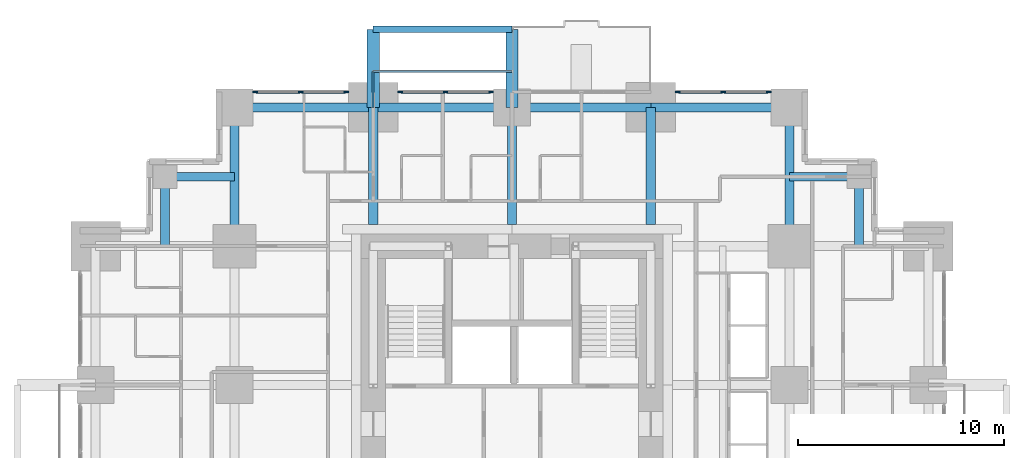
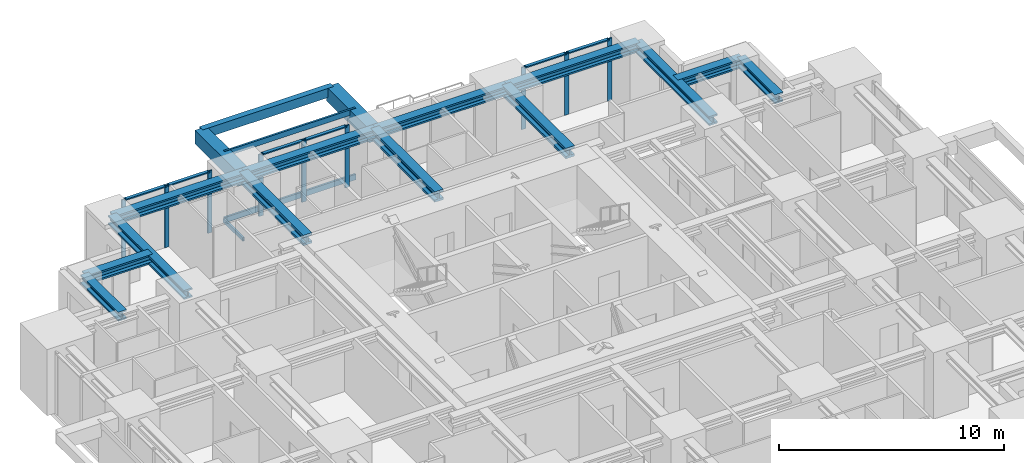
# One storey, part 5 of 13: 18 members, 16 beams, 3 elements without a shape of their own.
"""IFC4 building model written with IfcOpenShell, lengths in metres."""

from ifc_helpers import new_model, si_unit, direction, frame, origin, origin_2d, place, context, subcontext, project, spatial, rectangle, hollow_rectangle, i_section, extrude, material, material_profile, profile_set, type_object, element, aggregate, save


model = new_model("IFC4")

# Units and contexts
model_context = context("Model", 3, precision=1e-05, world=origin(), true_north=direction((0.0, 1.0)))
body_context = subcontext(model_context, "Body", "Model", "MODEL_VIEW")
ifc_project = project(units=[si_unit("LENGTHUNIT", "METRE"), si_unit("AREAUNIT", "SQUARE_METRE"), si_unit("VOLUMEUNIT", "CUBIC_METRE"), si_unit("PLANEANGLEUNIT", "RADIAN"), si_unit("MASSUNIT", "GRAM", prefix="KILO")], contexts=[model_context])

# Site, building, storey
site_placement = place(None, origin())
site = spatial("IfcSite", under=ifc_project, at=site_placement, CompositionType="ELEMENT")
building_placement = place(site_placement, origin())
building = spatial("IfcBuilding", under=site, at=building_placement, Name="Nyansa Garden Tower", CompositionType="ELEMENT")
storey_placement = place(building_placement, frame((0.0, 0.0, 83.699951171875)))
storey = spatial("IfcBuildingStorey", under=building, at=storey_placement, Name="L22", CompositionType="ELEMENT", Elevation=83.699951171875)

# Beams
ifc_material_1 = material(Name="Concrete C70/85", Category="concrete")
ifc_material_profile_1 = material_profile(ifc_material_1, rectangle(XDim=0.60009765625, YDim=0.75, at=origin_2d()), Name="RC 600x750")
ifc_profile_set_1 = profile_set([ifc_material_profile_1], Name="Concrete C70/85")
beam_type_1 = type_object("IfcBeamType", Name="Balcony cantilever beam CB1 RC 600x750", PredefinedType="BEAM", material=ifc_profile_set_1)
for number, where, z_axis, x_axis, name in (
    (1, (13.5, 33.75, 2.985107421875), (0.0, 1.0, 0.0), (-1.0, 0.0, 0.0), "Balcony cantilever beam L23"),
    (2, (20.25, 33.75, 2.985107421875), (0.0, 1.0, 0.0), (-1.0, 0.0, 0.0), "Balcony cantilever beam L23"),
):
    element("IfcBeam", number, at=place(storey_placement, frame(where, z_axis=z_axis, x_axis=x_axis)), inside=storey, type_object=beam_type_1, Name=name, PredefinedType="BEAM", context=body_context, shape_type="SweptSolid", body=[
        extrude(rectangle(XDim=0.60009765625, YDim=0.75, at=origin_2d()), origin(), (0.0, 0.0, 1.0), 3.800048828125),
    ])
ifc_material_2 = material(Name="Concrete C70/85", Category="concrete")
ifc_material_profile_2 = material_profile(ifc_material_2, rectangle(XDim=0.300048828125, YDim=0.5, at=origin_2d()), Name="RC 300x500")
ifc_profile_set_2 = profile_set([ifc_material_profile_2], Name="Concrete C70/85")
beam_type_2 = type_object("IfcBeamType", Name="Balcony edge beam BE1 RC 300x500", PredefinedType="BEAM", material=ifc_profile_set_2)
beam_placement = place(storey_placement, frame((13.5, 37.550048828125, 3.110107421875), z_axis=(1.0, 0.0, 0.0), x_axis=(0.0, 1.0, 0.0)))
element("IfcBeam", 3, at=beam_placement, inside=storey, type_object=beam_type_2, Name="Balcony edge beam L23", PredefinedType="BEAM", context=body_context, shape_type="SweptSolid", body=[
    extrude(rectangle(XDim=0.300048828125, YDim=0.5, at=origin_2d()), origin(), (0.0, 0.0, 1.0), 6.75),
])

# Curtain wall, members
ifc_material_3 = material(Name="Black anodised aluminium, dark tinted double glazing", Category="aluminium")
curtain_wall_type = type_object("IfcCurtainWallType", Name="Inner skin curtain wall ISW-B", PredefinedType="USERDEFINED", material=ifc_material_3)
curtain_wall_1_placement = place(storey_placement, origin())
curtain_wall_1 = element("IfcCurtainWall", 4, at=curtain_wall_1_placement, inside=storey, type_object=curtain_wall_type, Name="Inner skin curtain wall L22 N", ObjectType="UNITISED CURTAIN WALL", PredefinedType="USERDEFINED")
ifc_material_4 = material(Name="Black anodised aluminium", Category="aluminium")
ifc_material_profile_3 = material_profile(ifc_material_4, rectangle(XDim=0.06494140625, YDim=0.22509765625, at=origin_2d()), Name="Mullion 225x65")
ifc_profile_set_3 = profile_set([ifc_material_profile_3], Name="Black anodised aluminium")
member_type_1 = type_object("IfcMemberType", Name="Mullion ISW-B 225x65", PredefinedType="MULLION", material=ifc_profile_set_3)
member_1_placement = place(storey_placement, frame((19.237548828125, 34.5, 0.0), z_axis=(0.0, 0.0, 1.0), x_axis=(0.0, -1.0, 0.0)))
member_1 = element("IfcMember", 5, at=member_1_placement, type_object=member_type_1, Name="ISW-B mullion 1", PredefinedType="MULLION", context=body_context, shape_type="SweptSolid", body=[
    extrude(rectangle(XDim=0.06494140625, YDim=0.22509765625, at=origin_2d()), origin(), (0.0, 0.0, 1.0), 3.375),
])
member_2_placement = place(storey_placement, frame((17.02490234375, 34.5, 0.0), z_axis=(0.0, 0.0, 1.0), x_axis=(0.0, -1.0, 0.0)))
member_2 = element("IfcMember", 6, at=member_2_placement, type_object=member_type_1, Name="ISW-B mullion 2", PredefinedType="MULLION", context=body_context, shape_type="SweptSolid", body=[
    extrude(rectangle(XDim=0.06494140625, YDim=0.22509765625, at=origin_2d()), origin(), (0.0, 0.0, 1.0), 3.375),
])
member_3_placement = place(storey_placement, frame((14.8125, 34.5, 0.0), z_axis=(0.0, 0.0, 1.0), x_axis=(0.0, -1.0, 0.0)))
member_3 = element("IfcMember", 7, at=member_3_placement, type_object=member_type_1, Name="ISW-B mullion 3", PredefinedType="MULLION", context=body_context, shape_type="SweptSolid", body=[
    extrude(rectangle(XDim=0.06494140625, YDim=0.22509765625, at=origin_2d()), origin(), (0.0, 0.0, 1.0), 3.375),
])

curtain_wall_2_placement = place(storey_placement, origin())
curtain_wall_2 = element("IfcCurtainWall", 8, at=curtain_wall_2_placement, inside=storey, type_object=curtain_wall_type, Name="Inner skin curtain wall L22 N", ObjectType="UNITISED CURTAIN WALL", PredefinedType="USERDEFINED")
member_4_placement = place(storey_placement, frame((12.1875, 34.5, 0.0), z_axis=(0.0, 0.0, 1.0), x_axis=(0.0, -1.0, 0.0)))
member_4 = element("IfcMember", 9, at=member_4_placement, type_object=member_type_1, Name="ISW-B mullion 1", PredefinedType="MULLION", context=body_context, shape_type="SweptSolid", body=[
    extrude(rectangle(XDim=0.06494140625, YDim=0.22509765625, at=origin_2d()), origin(), (0.0, 0.0, 1.0), 3.375),
])
member_5_placement = place(storey_placement, frame((9.97509765625, 34.5, 0.0), z_axis=(0.0, 0.0, 1.0), x_axis=(0.0, -1.0, 0.0)))
member_5 = element("IfcMember", 10, at=member_5_placement, type_object=member_type_1, Name="ISW-B mullion 2", PredefinedType="MULLION", context=body_context, shape_type="SweptSolid", body=[
    extrude(rectangle(XDim=0.06494140625, YDim=0.22509765625, at=origin_2d()), origin(), (0.0, 0.0, 1.0), 3.375),
])
member_6_placement = place(storey_placement, frame((7.762451171875, 34.5, 0.0), z_axis=(0.0, 0.0, 1.0), x_axis=(0.0, -1.0, 0.0)))
member_6 = element("IfcMember", 11, at=member_6_placement, type_object=member_type_1, Name="ISW-B mullion 3", PredefinedType="MULLION", context=body_context, shape_type="SweptSolid", body=[
    extrude(rectangle(XDim=0.06494140625, YDim=0.22509765625, at=origin_2d()), origin(), (0.0, 0.0, 1.0), 3.375),
])

curtain_wall_3_placement = place(storey_placement, origin())
curtain_wall_3 = element("IfcCurtainWall", 12, at=curtain_wall_3_placement, inside=storey, type_object=curtain_wall_type, Name="Inner skin curtain wall L22 N", ObjectType="UNITISED CURTAIN WALL", PredefinedType="USERDEFINED")
member_7_placement = place(storey_placement, frame((32.737548828125, 34.5, 0.0), z_axis=(0.0, 0.0, 1.0), x_axis=(0.0, -1.0, 0.0)))
member_7 = element("IfcMember", 13, at=member_7_placement, type_object=member_type_1, Name="ISW-B mullion 1", PredefinedType="MULLION", context=body_context, shape_type="SweptSolid", body=[
    extrude(rectangle(XDim=0.06494140625, YDim=0.22509765625, at=origin_2d()), origin(), (0.0, 0.0, 1.0), 3.375),
])
member_8_placement = place(storey_placement, frame((30.52490234375, 34.5, 0.0), z_axis=(0.0, 0.0, 1.0), x_axis=(0.0, -1.0, 0.0)))
member_8 = element("IfcMember", 14, at=member_8_placement, type_object=member_type_1, Name="ISW-B mullion 2", PredefinedType="MULLION", context=body_context, shape_type="SweptSolid", body=[
    extrude(rectangle(XDim=0.06494140625, YDim=0.22509765625, at=origin_2d()), origin(), (0.0, 0.0, 1.0), 3.375),
])
member_9_placement = place(storey_placement, frame((28.3125, 34.5, 0.0), z_axis=(0.0, 0.0, 1.0), x_axis=(0.0, -1.0, 0.0)))
member_9 = element("IfcMember", 15, at=member_9_placement, type_object=member_type_1, Name="ISW-B mullion 3", PredefinedType="MULLION", context=body_context, shape_type="SweptSolid", body=[
    extrude(rectangle(XDim=0.06494140625, YDim=0.22509765625, at=origin_2d()), origin(), (0.0, 0.0, 1.0), 3.375),
])

# Members
ifc_material_5 = material(Name="Steel S355, black powder coated", Category="steel")
ifc_material_profile_4 = material_profile(ifc_material_5, hollow_rectangle(XDim=0.10009765625, YDim=0.199951171875, WallThickness=0.008056640625, at=origin_2d()), Name="RHS 200x100x8")
ifc_profile_set_4 = profile_set([ifc_material_profile_4], Name="Steel S355, black powder coated")
member_type_2 = type_object("IfcMemberType", Name="Outer skin bracket arm RHS 200x100x8", PredefinedType="USERDEFINED", material=ifc_profile_set_4)
member_10_placement = place(storey_placement, frame((13.5, 33.75, -0.375), z_axis=(0.0, 1.0, 0.0), x_axis=(-1.0, 0.0, 0.0)))
element("IfcMember", 16, at=member_10_placement, inside=storey, type_object=member_type_2, Name="Outer skin bracket arm", ObjectType="OUTER SKIN BRACKET", PredefinedType="USERDEFINED", context=body_context, shape_type="SweptSolid", body=[
    extrude(hollow_rectangle(XDim=0.10009765625, YDim=0.199951171875, WallThickness=0.008056640625, at=origin_2d()), origin(), (0.0, 0.0, 1.0), 1.75),
])
ifc_material_6 = material(Name="Steel S355, black powder coated", Category="steel")
ifc_material_profile_5 = material_profile(ifc_material_6, hollow_rectangle(XDim=0.10009765625, YDim=0.300048828125, WallThickness=0.010009765625, at=origin_2d()), Name="RHS 300x100x10")
ifc_profile_set_5 = profile_set([ifc_material_profile_5], Name="Steel S355, black powder coated")
member_type_3 = type_object("IfcMemberType", Name="Outer skin rail RHS 300x100x10", PredefinedType="USERDEFINED", material=ifc_profile_set_5)
for number, where, z_axis, x_axis, name in (
    (17, (13.5, 35.5, -0.375), (1.0, 0.0, 0.0), (0.0, 1.0, 0.0), "Outer skin rail L22"),
    (18, (13.5, 35.5, 3.22509765625), (1.0, 0.0, 0.0), (0.0, 1.0, 0.0), "Outer skin rail L22 head"),
):
    element("IfcMember", number, at=place(storey_placement, frame(where, z_axis=z_axis, x_axis=x_axis)), inside=storey, type_object=member_type_3, Name=name, ObjectType="OUTER SKIN RAIL", PredefinedType="USERDEFINED", context=body_context, shape_type="SweptSolid", body=[
        extrude(hollow_rectangle(XDim=0.10009765625, YDim=0.300048828125, WallThickness=0.010009765625, at=origin_2d()), origin(), (0.0, 0.0, 1.0), 6.75),
    ])

# Beams
ifc_material_7 = material(Name="Steel S355", Category="steel")
ifc_material_profile_6 = material_profile(ifc_material_7, i_section(OverallWidth=0.431884765625, OverallDepth=0.498046875, WebThickness=0.0556640625, FlangeThickness=0.0888671875, FilletRadius=0.014892578125, at=origin_2d()), Name="HD 400x744")
ifc_profile_set_6 = profile_set([ifc_material_profile_6], Name="Steel S355")
beam_type_3 = type_object("IfcBeamType", Name="Steel beam SBB1-744 HD 400x744", PredefinedType="BEAM", material=ifc_profile_set_6)
for number, where, z_axis, x_axis, name in (
    (19, (6.75, 27.0, 3.1259765625), (0.0, 1.0, 0.0), (-1.0, 0.0, 0.0), "Steel beam 3/H-3/J L23"),
    (20, (33.75, 27.0, 3.1259765625), (0.0, 1.0, 0.0), (-1.0, 0.0, 0.0), "Steel beam 7/H-7/J L23"),
):
    element("IfcBeam", number, at=place(storey_placement, frame(where, z_axis=z_axis, x_axis=x_axis)), inside=storey, type_object=beam_type_3, Name=name, PredefinedType="BEAM", context=body_context, shape_type="SweptSolid", body=[
        extrude(i_section(OverallWidth=0.431884765625, OverallDepth=0.498046875, WebThickness=0.0556640625, FlangeThickness=0.0888671875, FilletRadius=0.014892578125, at=origin_2d()), origin(), (0.0, 0.0, 1.0), 6.75),
    ])
ifc_material_8 = material(Name="Steel S355", Category="steel")
ifc_material_profile_7 = material_profile(ifc_material_8, i_section(OverallWidth=0.4541015625, OverallDepth=0.569091796875, WebThickness=0.077880859375, FlangeThickness=0.125, FilletRadius=0.014892578125, at=origin_2d()), Name="HD 400x1086")
ifc_profile_set_7 = profile_set([ifc_material_profile_7], Name="Steel S355")
beam_type_4 = type_object("IfcBeamType", Name="Steel beam SCL-1086 HD 400x1086", PredefinedType="BEAM", material=ifc_profile_set_7)
for number, where, z_axis, x_axis, name in (
    (21, (13.5, 28.050048828125, 3.090576171875), (0.0, 1.0, 0.0), (-1.0, 0.0, 0.0), "Steel beam 4/28.050-4/J L23"),
    (22, (20.25, 28.050048828125, 3.090576171875), (0.0, 1.0, 0.0), (-1.0, 0.0, 0.0), "Steel beam 5/28.050-5/J L23"),
    (23, (27.0, 28.050048828125, 3.090576171875), (0.0, 1.0, 0.0), (-1.0, 0.0, 0.0), "Steel beam 6/28.050-6/J L23"),
):
    element("IfcBeam", number, at=place(storey_placement, frame(where, z_axis=z_axis, x_axis=x_axis)), inside=storey, type_object=beam_type_4, Name=name, PredefinedType="BEAM", context=body_context, shape_type="SweptSolid", body=[
        extrude(i_section(OverallWidth=0.4541015625, OverallDepth=0.569091796875, WebThickness=0.077880859375, FlangeThickness=0.125, FilletRadius=0.014892578125, at=origin_2d()), origin(), (0.0, 0.0, 1.0), 5.699951171875),
    ])
ifc_material_9 = material(Name="Steel S355", Category="steel")
ifc_material_profile_8 = material_profile(ifc_material_9, i_section(OverallWidth=0.431884765625, OverallDepth=0.498046875, WebThickness=0.0556640625, FlangeThickness=0.0888671875, FilletRadius=0.014892578125, at=origin_2d()), Name="HD 400x744")
ifc_profile_set_8 = profile_set([ifc_material_profile_8], Name="Steel S355")
beam_type_5 = type_object("IfcBeamType", Name="Steel beam SEBB-744 HD 400x744", PredefinedType="BEAM", material=ifc_profile_set_8)
for number, where, z_axis, x_axis, name in (
    (24, (6.75, 33.75, 3.1259765625), (1.0, 0.0, 0.0), (0.0, 1.0, 0.0), "Steel edge beam 3/J-4/J L23"),
    (25, (13.5, 33.75, 3.1259765625), (1.0, 0.0, 0.0), (0.0, 1.0, 0.0), "Steel edge beam 4/J-5/J L23"),
    (26, (20.25, 33.75, 3.1259765625), (1.0, 0.0, 0.0), (0.0, 1.0, 0.0), "Steel edge beam 5/J-6/J L23"),
    (27, (27.0, 33.75, 3.1259765625), (1.0, 0.0, 0.0), (0.0, 1.0, 0.0), "Steel edge beam 6/J-7/J L23"),
):
    element("IfcBeam", number, at=place(storey_placement, frame(where, z_axis=z_axis, x_axis=x_axis)), inside=storey, type_object=beam_type_5, Name=name, PredefinedType="BEAM", context=body_context, shape_type="SweptSolid", body=[
        extrude(i_section(OverallWidth=0.431884765625, OverallDepth=0.498046875, WebThickness=0.0556640625, FlangeThickness=0.0888671875, FilletRadius=0.014892578125, at=origin_2d()), origin(), (0.0, 0.0, 1.0), 6.75),
    ])
ifc_material_10 = material(Name="Steel S355", Category="steel")
ifc_material_profile_9 = material_profile(ifc_material_10, i_section(OverallWidth=0.431884765625, OverallDepth=0.498046875, WebThickness=0.0556640625, FlangeThickness=0.0888671875, FilletRadius=0.014892578125, at=origin_2d()), Name="HD 400x744")
ifc_profile_set_9 = profile_set([ifc_material_profile_9], Name="Steel S355")
beam_type_6 = type_object("IfcBeamType", Name="Steel beam SSB1-744 HD 400x744", PredefinedType="BEAM", material=ifc_profile_set_9)
for number, where, z_axis, x_axis, name in (
    (28, (37.125, 30.375, 3.1259765625), (0.0, -1.0, 0.0), (1.0, 0.0, 0.0), "Steel step beam 37.125/30.375 L23"),
    (29, (37.125, 30.375, 3.1259765625), (-1.0, 0.0, 0.0), (0.0, -1.0, 0.0), "Steel step beam 37.125/30.375 L23"),
    (30, (3.375, 30.375, 3.1259765625), (0.0, -1.0, 0.0), (1.0, 0.0, 0.0), "Steel step beam 3.375/30.375 L23"),
    (31, (3.375, 30.375, 3.1259765625), (1.0, 0.0, 0.0), (0.0, 1.0, 0.0), "Steel step beam 3.375/30.375 L23"),
):
    element("IfcBeam", number, at=place(storey_placement, frame(where, z_axis=z_axis, x_axis=x_axis)), inside=storey, type_object=beam_type_6, Name=name, PredefinedType="BEAM", context=body_context, shape_type="SweptSolid", body=[
        extrude(i_section(OverallWidth=0.431884765625, OverallDepth=0.498046875, WebThickness=0.0556640625, FlangeThickness=0.0888671875, FilletRadius=0.014892578125, at=origin_2d()), origin(), (0.0, 0.0, 1.0), 3.375),
    ])

# Member
ifc_material_11 = material(Name="Black anodised aluminium", Category="aluminium")
ifc_material_profile_10 = material_profile(ifc_material_11, rectangle(XDim=0.1650390625, YDim=0.06494140625, at=origin_2d()), Name="Transom 165x65")
ifc_profile_set_10 = profile_set([ifc_material_profile_10], Name="Black anodised aluminium")
member_type_4 = type_object("IfcMemberType", Name="Transom ISW-B 165x65", PredefinedType="USERDEFINED", material=ifc_profile_set_10)
member_11_placement = place(storey_placement, frame((19.205078125, 34.5, 3.342529296875), z_axis=(-1.0, 0.0, 0.0), x_axis=(0.0, -1.0, 0.0)))
member_11 = element("IfcMember", 32, at=member_11_placement, type_object=member_type_4, Name="ISW-B transom 1", ObjectType="TRANSOM", PredefinedType="USERDEFINED", context=body_context, shape_type="SweptSolid", body=[
    extrude(rectangle(XDim=0.1650390625, YDim=0.06494140625, at=origin_2d()), origin(), (0.0, 0.0, 1.0), 2.1474609375),
])

member_12_placement = place(storey_placement, frame((16.992431640625, 34.5, 3.342529296875), z_axis=(-1.0, 0.0, 0.0), x_axis=(0.0, -1.0, 0.0)))
member_12 = element("IfcMember", 33, at=member_12_placement, type_object=member_type_4, Name="ISW-B transom 2", ObjectType="TRANSOM", PredefinedType="USERDEFINED", context=body_context, shape_type="SweptSolid", body=[
    extrude(rectangle(XDim=0.1650390625, YDim=0.06494140625, at=origin_2d()), origin(), (0.0, 0.0, 1.0), 2.1474609375),
])

aggregate(curtain_wall_1, [member_1, member_2, member_3, member_11, member_12])

member_13_placement = place(storey_placement, frame((12.155029296875, 34.5, 3.342529296875), z_axis=(-1.0, 0.0, 0.0), x_axis=(0.0, -1.0, 0.0)))
member_13 = element("IfcMember", 34, at=member_13_placement, type_object=member_type_4, Name="ISW-B transom 1", ObjectType="TRANSOM", PredefinedType="USERDEFINED", context=body_context, shape_type="SweptSolid", body=[
    extrude(rectangle(XDim=0.1650390625, YDim=0.06494140625, at=origin_2d()), origin(), (0.0, 0.0, 1.0), 2.1474609375),
])

member_14_placement = place(storey_placement, frame((9.9423828125, 34.5, 3.342529296875), z_axis=(-1.0, 0.0, 0.0), x_axis=(0.0, -1.0, 0.0)))
member_14 = element("IfcMember", 35, at=member_14_placement, type_object=member_type_4, Name="ISW-B transom 2", ObjectType="TRANSOM", PredefinedType="USERDEFINED", context=body_context, shape_type="SweptSolid", body=[
    extrude(rectangle(XDim=0.1650390625, YDim=0.06494140625, at=origin_2d()), origin(), (0.0, 0.0, 1.0), 2.1474609375),
])

aggregate(curtain_wall_2, [member_4, member_5, member_6, member_13, member_14])

member_15_placement = place(storey_placement, frame((32.705078125, 34.5, 3.342529296875), z_axis=(-1.0, 0.0, 0.0), x_axis=(0.0, -1.0, 0.0)))
member_15 = element("IfcMember", 36, at=member_15_placement, type_object=member_type_4, Name="ISW-B transom 1", ObjectType="TRANSOM", PredefinedType="USERDEFINED", context=body_context, shape_type="SweptSolid", body=[
    extrude(rectangle(XDim=0.1650390625, YDim=0.06494140625, at=origin_2d()), origin(), (0.0, 0.0, 1.0), 2.1474609375),
])

member_16_placement = place(storey_placement, frame((30.492431640625, 34.5, 3.342529296875), z_axis=(-1.0, 0.0, 0.0), x_axis=(0.0, -1.0, 0.0)))
member_16 = element("IfcMember", 37, at=member_16_placement, type_object=member_type_4, Name="ISW-B transom 2", ObjectType="TRANSOM", PredefinedType="USERDEFINED", context=body_context, shape_type="SweptSolid", body=[
    extrude(rectangle(XDim=0.1650390625, YDim=0.06494140625, at=origin_2d()), origin(), (0.0, 0.0, 1.0), 2.1474609375),
])

aggregate(curtain_wall_3, [member_7, member_8, member_9, member_15, member_16])

save(model, "model.ifc")
